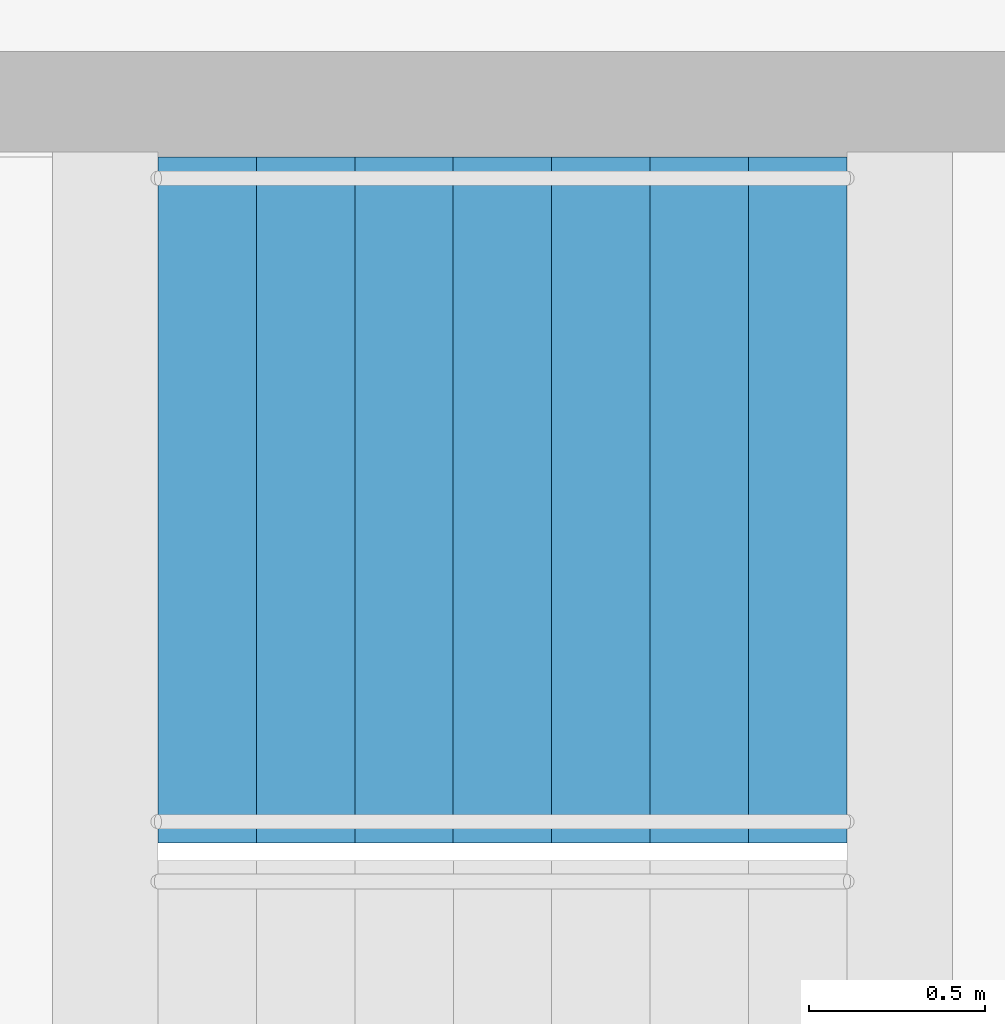
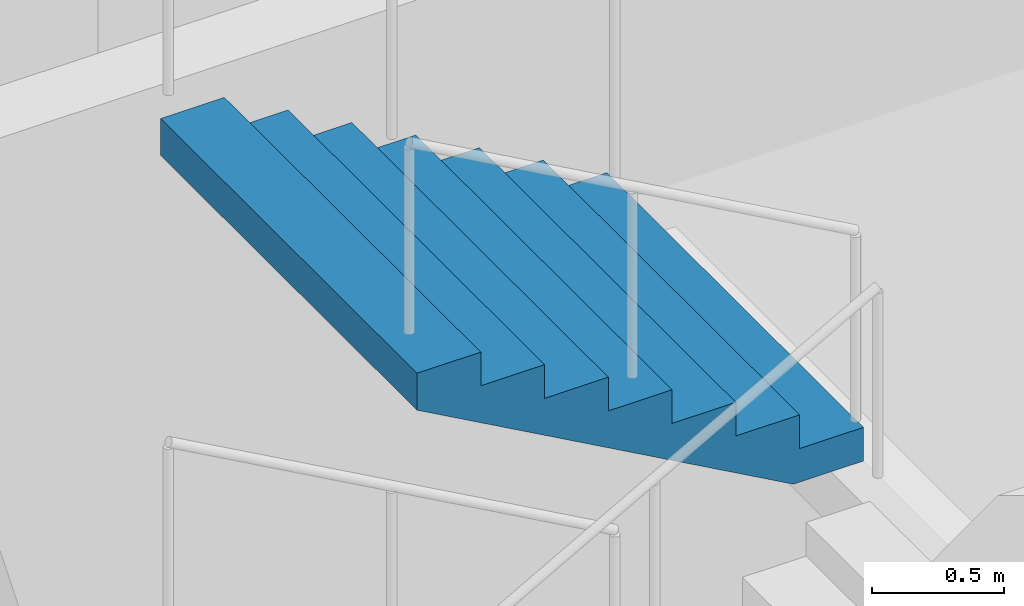
# One storey, part 23 of 37: 1 stair flight, 1 element without a shape of its own.
"""IFC4 building model written with IfcOpenShell, lengths in metres."""

from ifc_helpers import new_model, si_unit, direction, frame, origin, place, context, subcontext, project, spatial, triangles, material, type_object, element, aggregate, save


model = new_model("IFC4")

# Units and contexts
model_context = context("Model", 3, precision=1e-05, world=origin(), true_north=direction((0.0, 1.0)))
body_context = subcontext(model_context, "Body", "Model", "MODEL_VIEW")
ifc_project = project(units=[si_unit("LENGTHUNIT", "METRE"), si_unit("AREAUNIT", "SQUARE_METRE"), si_unit("VOLUMEUNIT", "CUBIC_METRE"), si_unit("PLANEANGLEUNIT", "RADIAN"), si_unit("MASSUNIT", "GRAM", prefix="KILO")], contexts=[model_context])

# Site, building, storey
site_placement = place(None, origin())
site = spatial("IfcSite", under=ifc_project, at=site_placement, CompositionType="ELEMENT")
building_placement = place(site_placement, origin())
building = spatial("IfcBuilding", under=site, at=building_placement, Name="Orbita Commons", CompositionType="ELEMENT")
storey_placement = place(building_placement, frame((0.0, 0.0, 6.0)))
storey = spatial("IfcBuildingStorey", under=building, at=storey_placement, Name="L01", CompositionType="ELEMENT", Elevation=6.0)

# Stair, stair flight
ifc_material_1 = material(Name="Precast concrete C40/50", Category="concrete")
stair_type = type_object("IfcStairType", Name="Exit stair S1 4 flights 8 risers 156", PredefinedType="HALF_TURN_STAIR", material=ifc_material_1)
stair_placement = place(storey_placement, origin())
stair = element("IfcStair", 1, at=stair_placement, inside=storey, type_object=stair_type, Name="Exit stair S1 L01", PredefinedType="HALF_TURN_STAIR")
ifc_material_2 = material(Name="Precast concrete C40/50", Category="concrete")
stair_flight_type = type_object("IfcStairFlightType", Name="Stair flight 8 risers 156 x 280", PredefinedType="STRAIGHT", material=ifc_material_2)
stair_flight_placement = place(storey_placement, frame((22.409912109375, 29.27490234375, 3.75), z_axis=(0.0, 0.0, 1.0), x_axis=(-1.0, 0.0, 0.0)))
stair_flight = element("IfcStairFlight", 2, at=stair_flight_placement, type_object=stair_flight_type, Name="S1 flight 4", NumberOfRisers=8, NumberOfTreads=7, PredefinedType="STRAIGHT", RiserHeight=0.15625, TreadLength=0.28, context=body_context, shape_type="Tessellation", body=[
    triangles([(0.0, 0.974976, 0.0), (0.0, 0.974976, 0.019531), (0.0, 0.81248, 0.019531), (0.0, 0.81248, 0.0), (0.0, 0.649984, 0.019531), (0.0, 0.649984, 0.0), (0.0, 0.487488, 0.019531), (0.0, 0.487488, 0.0), (0.0, 0.324992, 0.019531), (0.0, 0.324992, 0.0), (0.0, 0.162496, 0.019531), (0.0, 0.162496, 0.0), (0.0, 0.0, 0.019531), (0.0, 0.0, 0.0), (0.0, -0.162496, 0.019531), (0.0, -0.162496, 0.0), (0.0, -0.324992, 0.019531), (0.0, -0.324992, 0.0), (0.0, -0.487488, 0.019531), (0.0, -0.487488, 0.0), (0.0, -0.649984, 0.019531), (0.0, -0.649984, 0.0), (0.0, -0.81248, 0.019531), (0.0, -0.81248, 0.0), (0.0, -0.974976, 0.019531), (0.0, -0.974976, 0.0), (0.0, 0.974976, 0.039062), (0.0, 0.81248, 0.039062), (0.0, 0.649984, 0.039062), (0.0, 0.487488, 0.039062), (0.0, 0.324992, 0.039062), (0.0, 0.162496, 0.039062), (0.0, 0.0, 0.039062), (0.0, -0.162496, 0.039062), (0.0, -0.324992, 0.039062), (0.0, -0.487488, 0.039062), (0.0, -0.649984, 0.039062), (0.0, -0.81248, 0.039062), (0.0, -0.974976, 0.039062), (0.0, 0.974976, 0.058594), (0.0, 0.81248, 0.058594), (0.0, 0.649984, 0.058594), (0.0, 0.487488, 0.058594), (0.0, 0.324992, 0.058594), (0.0, 0.162496, 0.058594), (0.0, 0.0, 0.058594), (0.0, -0.162496, 0.058594), (0.0, -0.324992, 0.058594), (0.0, -0.487488, 0.058594), (0.0, -0.649984, 0.058594), (0.0, -0.81248, 0.058594), (0.0, -0.974976, 0.058594), (0.0, 0.974976, 0.078125), (0.0, 0.81248, 0.078125), (0.0, 0.649984, 0.078125), (0.0, 0.487488, 0.078125), (0.0, 0.324992, 0.078125), (0.0, 0.162496, 0.078125), (0.0, 0.0, 0.078125), (0.0, -0.162496, 0.078125), (0.0, -0.324992, 0.078125), (0.0, -0.487488, 0.078125), (0.0, -0.649984, 0.078125), (0.0, -0.81248, 0.078125), (0.0, -0.974976, 0.078125), (0.0, 0.974976, 0.097656), (0.0, 0.81248, 0.097656), (0.0, 0.649984, 0.097656), (0.0, 0.487488, 0.097656), (0.0, 0.324992, 0.097656), (0.0, 0.162496, 0.097656), (0.0, 0.0, 0.097656), (0.0, -0.162496, 0.097656), (0.0, -0.324992, 0.097656), (0.0, -0.487488, 0.097656), (0.0, -0.649984, 0.097656), (0.0, -0.81248, 0.097656), (0.0, -0.974976, 0.097656), (0.0, 0.974976, 0.117188), (0.0, 0.81248, 0.117188), (0.0, 0.649984, 0.117188), (0.0, 0.487488, 0.117188), (0.0, 0.324992, 0.117188), (0.0, 0.162496, 0.117188), (0.0, 0.0, 0.117188), (0.0, -0.162496, 0.117188), (0.0, -0.324992, 0.117188), (0.0, -0.487488, 0.117188), (0.0, -0.649984, 0.117188), (0.0, -0.81248, 0.117188), (0.0, -0.974976, 0.117188), (0.0, 0.974976, 0.136719), (0.0, 0.81248, 0.136719), (0.0, 0.649984, 0.136719), (0.0, 0.487488, 0.136719), (0.0, 0.324992, 0.136719), (0.0, 0.162496, 0.136719), (0.0, 0.0, 0.136719), (0.0, -0.162496, 0.136719), (0.0, -0.324992, 0.136719), (0.0, -0.487488, 0.136719), (0.0, -0.649984, 0.136719), (0.0, -0.81248, 0.136719), (0.0, -0.974976, 0.136719), (0.0, 0.974976, 0.15625), (0.0, 0.81248, 0.15625), (0.0, 0.649984, 0.15625), (0.0, 0.487488, 0.15625), (0.0, 0.324992, 0.15625), (0.0, 0.162496, 0.15625), (0.0, 0.0, 0.15625), (0.0, -0.162496, 0.15625), (0.0, -0.324992, 0.15625), (0.0, -0.487488, 0.15625), (0.0, -0.649984, 0.15625), (0.0, -0.81248, 0.15625), (0.0, -0.974976, 0.15625), (0.28, 0.974976, 0.15625), (0.28, 0.81248, 0.15625), (0.28, 0.649984, 0.15625), (0.28, 0.487488, 0.15625), (0.28, 0.324992, 0.15625), (0.28, 0.162496, 0.15625), (0.28, 0.0, 0.15625), (0.28, -0.162496, 0.15625), (0.28, -0.324992, 0.15625), (0.28, -0.487488, 0.15625), (0.28, -0.649984, 0.15625), (0.28, -0.81248, 0.15625), (0.28, -0.974976, 0.15625), (0.28, 0.974976, 0.3125), (0.28, 0.81248, 0.3125), (0.28, 0.649984, 0.3125), (0.28, 0.487488, 0.3125), (0.28, 0.324992, 0.3125), (0.28, 0.162496, 0.3125), (0.28, 0.0, 0.3125), (0.28, -0.162496, 0.3125), (0.28, -0.324992, 0.3125), (0.28, -0.487488, 0.3125), (0.28, -0.649984, 0.3125), (0.28, -0.81248, 0.3125), (0.28, -0.974976, 0.3125), (0.56, 0.974976, 0.3125), (0.56, 0.81248, 0.3125), (0.56, 0.649984, 0.3125), (0.56, 0.487488, 0.3125), (0.56, 0.324992, 0.3125), (0.56, 0.162496, 0.3125), (0.56, 0.0, 0.3125), (0.56, -0.162496, 0.3125), (0.56, -0.324992, 0.3125), (0.56, -0.487488, 0.3125), (0.56, -0.649984, 0.3125), (0.56, -0.81248, 0.3125), (0.56, -0.974976, 0.3125), (0.56, 0.974976, 0.46875), (0.56, 0.81248, 0.46875), (0.56, 0.649984, 0.46875), (0.56, 0.487488, 0.46875), (0.56, 0.324992, 0.46875), (0.56, 0.162496, 0.46875), (0.56, 0.0, 0.46875), (0.56, -0.162496, 0.46875), (0.56, -0.324992, 0.46875), (0.56, -0.487488, 0.46875), (0.56, -0.649984, 0.46875), (0.56, -0.81248, 0.46875), (0.56, -0.974976, 0.46875), (0.84, 0.974976, 0.46875), (0.84, 0.81248, 0.46875), (0.84, 0.649984, 0.46875), (0.84, 0.487488, 0.46875), (0.84, 0.324992, 0.46875), (0.84, 0.162496, 0.46875), (0.84, 0.0, 0.46875), (0.84, -0.162496, 0.46875), (0.84, -0.324992, 0.46875), (0.84, -0.487488, 0.46875), (0.84, -0.649984, 0.46875), (0.84, -0.81248, 0.46875), (0.84, -0.974976, 0.46875), (0.84, 0.974976, 0.625), (0.84, 0.81248, 0.625), (0.84, 0.649984, 0.625), (0.84, 0.487488, 0.625), (0.84, 0.324992, 0.625), (0.84, 0.162496, 0.625), (0.84, 0.0, 0.625), (0.84, -0.162496, 0.625), (0.84, -0.324992, 0.625), (0.84, -0.487488, 0.625), (0.84, -0.649984, 0.625), (0.84, -0.81248, 0.625), (0.84, -0.974976, 0.625), (1.12, 0.974976, 0.625), (1.12, 0.81248, 0.625), (1.12, 0.649984, 0.625), (1.12, 0.487488, 0.625), (1.12, 0.324992, 0.625), (1.12, 0.162496, 0.625), (1.12, 0.0, 0.625), (1.12, -0.162496, 0.625), (1.12, -0.324992, 0.625), (1.12, -0.487488, 0.625), (1.12, -0.649984, 0.625), (1.12, -0.81248, 0.625), (1.12, -0.974976, 0.625), (1.12, 0.974976, 0.78125), (1.12, 0.81248, 0.78125), (1.12, 0.649984, 0.78125), (1.12, 0.487488, 0.78125), (1.12, 0.324992, 0.78125), (1.12, 0.162496, 0.78125), (1.12, 0.0, 0.78125), (1.12, -0.162496, 0.78125), (1.12, -0.324992, 0.78125), (1.12, -0.487488, 0.78125), (1.12, -0.649984, 0.78125), (1.12, -0.81248, 0.78125), (1.12, -0.974976, 0.78125), (1.4, 0.974976, 0.78125), (1.4, 0.81248, 0.78125), (1.4, 0.649984, 0.78125), (1.4, 0.487488, 0.78125), (1.4, 0.324992, 0.78125), (1.4, 0.162496, 0.78125), (1.4, 0.0, 0.78125), (1.4, -0.162496, 0.78125), (1.4, -0.324992, 0.78125), (1.4, -0.487488, 0.78125), (1.4, -0.649984, 0.78125), (1.4, -0.81248, 0.78125), (1.4, -0.974976, 0.78125), (1.4, 0.974976, 0.9375), (1.4, 0.81248, 0.9375), (1.4, 0.649984, 0.9375), (1.4, 0.487488, 0.9375), (1.4, 0.324992, 0.9375), (1.4, 0.162496, 0.9375), (1.4, 0.0, 0.9375), (1.4, -0.162496, 0.9375), (1.4, -0.324992, 0.9375), (1.4, -0.487488, 0.9375), (1.4, -0.649984, 0.9375), (1.4, -0.81248, 0.9375), (1.4, -0.974976, 0.9375), (1.68, 0.974976, 0.9375), (1.68, 0.81248, 0.9375), (1.68, 0.649984, 0.9375), (1.68, 0.487488, 0.9375), (1.68, 0.324992, 0.9375), (1.68, 0.162496, 0.9375), (1.68, 0.0, 0.9375), (1.68, -0.162496, 0.9375), (1.68, -0.324992, 0.9375), (1.68, -0.487488, 0.9375), (1.68, -0.649984, 0.9375), (1.68, -0.81248, 0.9375), (1.68, -0.974976, 0.9375), (1.68, 0.974976, 1.09375), (1.68, 0.81248, 1.09375), (1.68, 0.649984, 1.09375), (1.68, 0.487488, 1.09375), (1.68, 0.324992, 1.09375), (1.68, 0.162496, 1.09375), (1.68, 0.0, 1.09375), (1.68, -0.162496, 1.09375), (1.68, -0.324992, 1.09375), (1.68, -0.487488, 1.09375), (1.68, -0.649984, 1.09375), (1.68, -0.81248, 1.09375), (1.68, -0.974976, 1.09375), (1.96, 0.974976, 1.09375), (1.96, 0.81248, 1.09375), (1.96, 0.649984, 1.09375), (1.96, 0.487488, 1.09375), (1.96, 0.324992, 1.09375), (1.96, 0.162496, 1.09375), (1.96, 0.0, 1.09375), (1.96, -0.162496, 1.09375), (1.96, -0.324992, 1.09375), (1.96, -0.487488, 1.09375), (1.96, -0.649984, 1.09375), (1.96, -0.81248, 1.09375), (1.96, -0.974976, 1.09375), (1.96, 0.974976, 1.072292), (1.96, 0.81248, 1.072292), (1.96, 0.649984, 1.072292), (1.96, 0.487488, 1.072292), (1.96, 0.324992, 1.072292), (1.96, 0.162496, 1.072292), (1.96, 0.0, 1.072292), (1.96, -0.162496, 1.072292), (1.96, -0.324992, 1.072292), (1.96, -0.487488, 1.072292), (1.96, -0.649984, 1.072292), (1.96, -0.81248, 1.072292), (1.96, -0.974976, 1.072292), (1.96, 0.974976, 1.050834), (1.96, 0.81248, 1.050834), (1.96, 0.649984, 1.050834), (1.96, 0.487488, 1.050834), (1.96, 0.324992, 1.050834), (1.96, 0.162496, 1.050834), (1.96, 0.0, 1.050834), (1.96, -0.162496, 1.050834), (1.96, -0.324992, 1.050834), (1.96, -0.487488, 1.050834), (1.96, -0.649984, 1.050834), (1.96, -0.81248, 1.050834), (1.96, -0.974976, 1.050834), (1.96, 0.974976, 1.029376), (1.96, 0.81248, 1.029376), (1.96, 0.649984, 1.029376), (1.96, 0.487488, 1.029376), (1.96, 0.324992, 1.029376), (1.96, 0.162496, 1.029376), (1.96, 0.0, 1.029376), (1.96, -0.162496, 1.029376), (1.96, -0.324992, 1.029376), (1.96, -0.487488, 1.029376), (1.96, -0.649984, 1.029376), (1.96, -0.81248, 1.029376), (1.96, -0.974976, 1.029376), (1.96, 0.974976, 1.007919), (1.96, 0.81248, 1.007919), (1.96, 0.649984, 1.007919), (1.96, 0.487488, 1.007919), (1.96, 0.324992, 1.007919), (1.96, 0.162496, 1.007919), (1.96, 0.0, 1.007919), (1.96, -0.162496, 1.007919), (1.96, -0.324992, 1.007919), (1.96, -0.487488, 1.007919), (1.96, -0.649984, 1.007919), (1.96, -0.81248, 1.007919), (1.96, -0.974976, 1.007919), (1.96, 0.974976, 0.986461), (1.96, 0.81248, 0.986461), (1.96, 0.649984, 0.986461), (1.96, 0.487488, 0.986461), (1.96, 0.324992, 0.986461), (1.96, 0.162496, 0.986461), (1.96, 0.0, 0.986461), (1.96, -0.162496, 0.986461), (1.96, -0.324992, 0.986461), (1.96, -0.487488, 0.986461), (1.96, -0.649984, 0.986461), (1.96, -0.81248, 0.986461), (1.96, -0.974976, 0.986461), (1.96, 0.974976, 0.965003), (1.96, 0.81248, 0.965003), (1.96, 0.649984, 0.965003), (1.96, 0.487488, 0.965003), (1.96, 0.324992, 0.965003), (1.96, 0.162496, 0.965003), (1.96, 0.0, 0.965003), (1.96, -0.162496, 0.965003), (1.96, -0.324992, 0.965003), (1.96, -0.487488, 0.965003), (1.96, -0.649984, 0.965003), (1.96, -0.81248, 0.965003), (1.96, -0.974976, 0.965003), (1.96, 0.974976, 0.943545), (1.96, 0.81248, 0.943545), (1.96, 0.649984, 0.943545), (1.96, 0.487488, 0.943545), (1.96, 0.324992, 0.943545), (1.96, 0.162496, 0.943545), (1.96, 0.0, 0.943545), (1.96, -0.162496, 0.943545), (1.96, -0.324992, 0.943545), (1.96, -0.487488, 0.943545), (1.96, -0.649984, 0.943545), (1.96, -0.81248, 0.943545), (1.96, -0.974976, 0.943545), (1.96, 0.974976, 0.922087), (1.96, 0.81248, 0.922087), (1.96, 0.649984, 0.922087), (1.96, 0.487488, 0.922087), (1.96, 0.324992, 0.922087), (1.96, 0.162496, 0.922087), (1.96, 0.0, 0.922087), (1.96, -0.162496, 0.922087), (1.96, -0.324992, 0.922087), (1.96, -0.487488, 0.922087), (1.96, -0.649984, 0.922087), (1.96, -0.81248, 0.922087), (1.96, -0.974976, 0.922087), (0.30762, 0.974976, 0.0), (0.30762, 0.81248, 0.0), (0.30762, 0.649984, 0.0), (0.30762, 0.487488, 0.0), (0.30762, 0.324992, 0.0), (0.30762, 0.162496, 0.0), (0.30762, 0.0, 0.0), (0.30762, -0.162496, 0.0), (0.30762, -0.324992, 0.0), (0.30762, -0.487488, 0.0), (0.30762, -0.649984, 0.0), (0.30762, -0.81248, 0.0), (0.30762, -0.974976, 0.0)], [[3, 2, 1], [4, 3, 1], [5, 3, 4], [6, 5, 4], [7, 5, 6], [8, 7, 6], [9, 7, 8], [10, 9, 8], [11, 9, 10], [12, 11, 10], [13, 11, 12], [14, 13, 12], [15, 13, 14], [16, 15, 14], [17, 15, 16], [18, 17, 16], [19, 17, 18], [20, 19, 18], [21, 19, 20], [22, 21, 20], [23, 21, 22], [24, 23, 22], [25, 23, 24], [26, 25, 24], [28, 27, 2], [3, 28, 2], [29, 28, 3], [5, 29, 3], [30, 29, 5], [7, 30, 5], [31, 30, 7], [9, 31, 7], [32, 31, 9], [11, 32, 9], [33, 32, 11], [13, 33, 11], [34, 33, 13], [15, 34, 13], [35, 34, 15], [17, 35, 15], [36, 35, 17], [19, 36, 17], [37, 36, 19], [21, 37, 19], [38, 37, 21], [23, 38, 21], [39, 38, 23], [25, 39, 23], [41, 40, 27], [28, 41, 27], [42, 41, 28], [29, 42, 28], [43, 42, 29], [30, 43, 29], [44, 43, 30], [31, 44, 30], [45, 44, 31], [32, 45, 31], [46, 45, 32], [33, 46, 32], [47, 46, 33], [34, 47, 33], [48, 47, 34], [35, 48, 34], [49, 48, 35], [36, 49, 35], [50, 49, 36], [37, 50, 36], [51, 50, 37], [38, 51, 37], [52, 51, 38], [39, 52, 38], [54, 53, 40], [41, 54, 40], [55, 54, 41], [42, 55, 41], [56, 55, 42], [43, 56, 42], [57, 56, 43], [44, 57, 43], [58, 57, 44], [45, 58, 44], [59, 58, 45], [46, 59, 45], [60, 59, 46], [47, 60, 46], [61, 60, 47], [48, 61, 47], [62, 61, 48], [49, 62, 48], [63, 62, 49], [50, 63, 49], [64, 63, 50], [51, 64, 50], [65, 64, 51], [52, 65, 51], [67, 66, 53], [54, 67, 53], [68, 67, 54], [55, 68, 54], [69, 68, 55], [56, 69, 55], [70, 69, 56], [57, 70, 56], [71, 70, 57], [58, 71, 57], [72, 71, 58], [59, 72, 58], [73, 72, 59], [60, 73, 59], [74, 73, 60], [61, 74, 60], [75, 74, 61], [62, 75, 61], [76, 75, 62], [63, 76, 62], [77, 76, 63], [64, 77, 63], [78, 77, 64], [65, 78, 64], [80, 79, 66], [67, 80, 66], [81, 80, 67], [68, 81, 67], [82, 81, 68], [69, 82, 68], [83, 82, 69], [70, 83, 69], [84, 83, 70], [71, 84, 70], [85, 84, 71], [72, 85, 71], [86, 85, 72], [73, 86, 72], [87, 86, 73], [74, 87, 73], [88, 87, 74], [75, 88, 74], [89, 88, 75], [76, 89, 75], [90, 89, 76], [77, 90, 76], [91, 90, 77], [78, 91, 77], [93, 92, 79], [80, 93, 79], [94, 93, 80], [81, 94, 80], [95, 94, 81], [82, 95, 81], [96, 95, 82], [83, 96, 82], [97, 96, 83], [84, 97, 83], [98, 97, 84], [85, 98, 84], [99, 98, 85], [86, 99, 85], [100, 99, 86], [87, 100, 86], [101, 100, 87], [88, 101, 87], [102, 101, 88], [89, 102, 88], [103, 102, 89], [90, 103, 89], [104, 103, 90], [91, 104, 90], [106, 105, 92], [93, 106, 92], [107, 106, 93], [94, 107, 93], [108, 107, 94], [95, 108, 94], [109, 108, 95], [96, 109, 95], [110, 109, 96], [97, 110, 96], [111, 110, 97], [98, 111, 97], [112, 111, 98], [99, 112, 98], [113, 112, 99], [100, 113, 99], [114, 113, 100], [101, 114, 100], [115, 114, 101], [102, 115, 101], [116, 115, 102], [103, 116, 102], [117, 116, 103], [104, 117, 103], [119, 118, 105], [106, 119, 105], [120, 119, 106], [107, 120, 106], [121, 120, 107], [108, 121, 107], [122, 121, 108], [109, 122, 108], [123, 122, 109], [110, 123, 109], [124, 123, 110], [111, 124, 110], [125, 124, 111], [112, 125, 111], [126, 125, 112], [113, 126, 112], [127, 126, 113], [114, 127, 113], [128, 127, 114], [115, 128, 114], [129, 128, 115], [116, 129, 115], [130, 129, 116], [117, 130, 116], [132, 131, 118], [119, 132, 118], [133, 132, 119], [120, 133, 119], [134, 133, 120], [121, 134, 120], [135, 134, 121], [122, 135, 121], [136, 135, 122], [123, 136, 122], [137, 136, 123], [124, 137, 123], [138, 137, 124], [125, 138, 124], [139, 138, 125], [126, 139, 125], [140, 139, 126], [127, 140, 126], [141, 140, 127], [128, 141, 127], [142, 141, 128], [129, 142, 128], [143, 142, 129], [130, 143, 129], [145, 144, 131], [132, 145, 131], [146, 145, 132], [133, 146, 132], [147, 146, 133], [134, 147, 133], [148, 147, 134], [135, 148, 134], [149, 148, 135], [136, 149, 135], [150, 149, 136], [137, 150, 136], [151, 150, 137], [138, 151, 137], [152, 151, 138], [139, 152, 138], [153, 152, 139], [140, 153, 139], [154, 153, 140], [141, 154, 140], [155, 154, 141], [142, 155, 141], [156, 155, 142], [143, 156, 142], [158, 157, 144], [145, 158, 144], [159, 158, 145], [146, 159, 145], [160, 159, 146], [147, 160, 146], [161, 160, 147], [148, 161, 147], [162, 161, 148], [149, 162, 148], [163, 162, 149], [150, 163, 149], [164, 163, 150], [151, 164, 150], [165, 164, 151], [152, 165, 151], [166, 165, 152], [153, 166, 152], [167, 166, 153], [154, 167, 153], [168, 167, 154], [155, 168, 154], [169, 168, 155], [156, 169, 155], [171, 170, 157], [158, 171, 157], [172, 171, 158], [159, 172, 158], [173, 172, 159], [160, 173, 159], [174, 173, 160], [161, 174, 160], [175, 174, 161], [162, 175, 161], [176, 175, 162], [163, 176, 162], [177, 176, 163], [164, 177, 163], [178, 177, 164], [165, 178, 164], [179, 178, 165], [166, 179, 165], [180, 179, 166], [167, 180, 166], [181, 180, 167], [168, 181, 167], [182, 181, 168], [169, 182, 168], [184, 183, 170], [171, 184, 170], [185, 184, 171], [172, 185, 171], [186, 185, 172], [173, 186, 172], [187, 186, 173], [174, 187, 173], [188, 187, 174], [175, 188, 174], [189, 188, 175], [176, 189, 175], [190, 189, 176], [177, 190, 176], [191, 190, 177], [178, 191, 177], [192, 191, 178], [179, 192, 178], [193, 192, 179], [180, 193, 179], [194, 193, 180], [181, 194, 180], [195, 194, 181], [182, 195, 181], [197, 196, 183], [184, 197, 183], [198, 197, 184], [185, 198, 184], [199, 198, 185], [186, 199, 185], [200, 199, 186], [187, 200, 186], [201, 200, 187], [188, 201, 187], [202, 201, 188], [189, 202, 188], [203, 202, 189], [190, 203, 189], [204, 203, 190], [191, 204, 190], [205, 204, 191], [192, 205, 191], [206, 205, 192], [193, 206, 192], [207, 206, 193], [194, 207, 193], [208, 207, 194], [195, 208, 194], [210, 209, 196], [197, 210, 196], [211, 210, 197], [198, 211, 197], [212, 211, 198], [199, 212, 198], [213, 212, 199], [200, 213, 199], [214, 213, 200], [201, 214, 200], [215, 214, 201], [202, 215, 201], [216, 215, 202], [203, 216, 202], [217, 216, 203], [204, 217, 203], [218, 217, 204], [205, 218, 204], [219, 218, 205], [206, 219, 205], [220, 219, 206], [207, 220, 206], [221, 220, 207], [208, 221, 207], [223, 222, 209], [210, 223, 209], [224, 223, 210], [211, 224, 210], [225, 224, 211], [212, 225, 211], [226, 225, 212], [213, 226, 212], [227, 226, 213], [214, 227, 213], [228, 227, 214], [215, 228, 214], [229, 228, 215], [216, 229, 215], [230, 229, 216], [217, 230, 216], [231, 230, 217], [218, 231, 217], [232, 231, 218], [219, 232, 218], [233, 232, 219], [220, 233, 219], [234, 233, 220], [221, 234, 220], [236, 235, 222], [223, 236, 222], [237, 236, 223], [224, 237, 223], [238, 237, 224], [225, 238, 224], [239, 238, 225], [226, 239, 225], [240, 239, 226], [227, 240, 226], [241, 240, 227], [228, 241, 227], [242, 241, 228], [229, 242, 228], [243, 242, 229], [230, 243, 229], [244, 243, 230], [231, 244, 230], [245, 244, 231], [232, 245, 231], [246, 245, 232], [233, 246, 232], [247, 246, 233], [234, 247, 233], [249, 248, 235], [236, 249, 235], [250, 249, 236], [237, 250, 236], [251, 250, 237], [238, 251, 237], [252, 251, 238], [239, 252, 238], [253, 252, 239], [240, 253, 239], [254, 253, 240], [241, 254, 240], [255, 254, 241], [242, 255, 241], [256, 255, 242], [243, 256, 242], [257, 256, 243], [244, 257, 243], [258, 257, 244], [245, 258, 244], [259, 258, 245], [246, 259, 245], [260, 259, 246], [247, 260, 246], [262, 261, 248], [249, 262, 248], [263, 262, 249], [250, 263, 249], [264, 263, 250], [251, 264, 250], [265, 264, 251], [252, 265, 251], [266, 265, 252], [253, 266, 252], [267, 266, 253], [254, 267, 253], [268, 267, 254], [255, 268, 254], [269, 268, 255], [256, 269, 255], [270, 269, 256], [257, 270, 256], [271, 270, 257], [258, 271, 257], [272, 271, 258], [259, 272, 258], [273, 272, 259], [260, 273, 259], [275, 274, 261], [262, 275, 261], [276, 275, 262], [263, 276, 262], [277, 276, 263], [264, 277, 263], [278, 277, 264], [265, 278, 264], [279, 278, 265], [266, 279, 265], [280, 279, 266], [267, 280, 266], [281, 280, 267], [268, 281, 267], [282, 281, 268], [269, 282, 268], [283, 282, 269], [270, 283, 269], [284, 283, 270], [271, 284, 270], [285, 284, 271], [272, 285, 271], [286, 285, 272], [273, 286, 272], [288, 287, 274], [275, 288, 274], [289, 288, 275], [276, 289, 275], [290, 289, 276], [277, 290, 276], [291, 290, 277], [278, 291, 277], [292, 291, 278], [279, 292, 278], [293, 292, 279], [280, 293, 279], [294, 293, 280], [281, 294, 280], [295, 294, 281], [282, 295, 281], [296, 295, 282], [283, 296, 282], [297, 296, 283], [284, 297, 283], [298, 297, 284], [285, 298, 284], [299, 298, 285], [286, 299, 285], [301, 300, 287], [288, 301, 287], [302, 301, 288], [289, 302, 288], [303, 302, 289], [290, 303, 289], [304, 303, 290], [291, 304, 290], [305, 304, 291], [292, 305, 291], [306, 305, 292], [293, 306, 292], [307, 306, 293], [294, 307, 293], [308, 307, 294], [295, 308, 294], [309, 308, 295], [296, 309, 295], [310, 309, 296], [297, 310, 296], [311, 310, 297], [298, 311, 297], [312, 311, 298], [299, 312, 298], [314, 313, 300], [301, 314, 300], [315, 314, 301], [302, 315, 301], [316, 315, 302], [303, 316, 302], [317, 316, 303], [304, 317, 303], [318, 317, 304], [305, 318, 304], [319, 318, 305], [306, 319, 305], [320, 319, 306], [307, 320, 306], [321, 320, 307], [308, 321, 307], [322, 321, 308], [309, 322, 308], [323, 322, 309], [310, 323, 309], [324, 323, 310], [311, 324, 310], [325, 324, 311], [312, 325, 311], [327, 326, 313], [314, 327, 313], [328, 327, 314], [315, 328, 314], [329, 328, 315], [316, 329, 315], [330, 329, 316], [317, 330, 316], [331, 330, 317], [318, 331, 317], [332, 331, 318], [319, 332, 318], [333, 332, 319], [320, 333, 319], [334, 333, 320], [321, 334, 320], [335, 334, 321], [322, 335, 321], [336, 335, 322], [323, 336, 322], [337, 336, 323], [324, 337, 323], [338, 337, 324], [325, 338, 324], [340, 339, 326], [327, 340, 326], [341, 340, 327], [328, 341, 327], [342, 341, 328], [329, 342, 328], [343, 342, 329], [330, 343, 329], [344, 343, 330], [331, 344, 330], [345, 344, 331], [332, 345, 331], [346, 345, 332], [333, 346, 332], [347, 346, 333], [334, 347, 333], [348, 347, 334], [335, 348, 334], [349, 348, 335], [336, 349, 335], [350, 349, 336], [337, 350, 336], [351, 350, 337], [338, 351, 337], [353, 352, 339], [340, 353, 339], [354, 353, 340], [341, 354, 340], [355, 354, 341], [342, 355, 341], [356, 355, 342], [343, 356, 342], [357, 356, 343], [344, 357, 343], [358, 357, 344], [345, 358, 344], [359, 358, 345], [346, 359, 345], [360, 359, 346], [347, 360, 346], [361, 360, 347], [348, 361, 347], [362, 361, 348], [349, 362, 348], [363, 362, 349], [350, 363, 349], [364, 363, 350], [351, 364, 350], [366, 365, 352], [353, 366, 352], [367, 366, 353], [354, 367, 353], [368, 367, 354], [355, 368, 354], [369, 368, 355], [356, 369, 355], [370, 369, 356], [357, 370, 356], [371, 370, 357], [358, 371, 357], [372, 371, 358], [359, 372, 358], [373, 372, 359], [360, 373, 359], [374, 373, 360], [361, 374, 360], [375, 374, 361], [362, 375, 361], [376, 375, 362], [363, 376, 362], [377, 376, 363], [364, 377, 363], [379, 378, 365], [366, 379, 365], [380, 379, 366], [367, 380, 366], [381, 380, 367], [368, 381, 367], [382, 381, 368], [369, 382, 368], [383, 382, 369], [370, 383, 369], [384, 383, 370], [371, 384, 370], [385, 384, 371], [372, 385, 371], [386, 385, 372], [373, 386, 372], [387, 386, 373], [374, 387, 373], [388, 387, 374], [375, 388, 374], [389, 388, 375], [376, 389, 375], [390, 389, 376], [377, 390, 376], [392, 391, 378], [379, 392, 378], [393, 392, 379], [380, 393, 379], [394, 393, 380], [381, 394, 380], [395, 394, 381], [382, 395, 381], [396, 395, 382], [383, 396, 382], [397, 396, 383], [384, 397, 383], [398, 397, 384], [385, 398, 384], [399, 398, 385], [386, 399, 385], [400, 399, 386], [387, 400, 386], [401, 400, 387], [388, 401, 387], [402, 401, 388], [389, 402, 388], [403, 402, 389], [390, 403, 389], [4, 1, 391], [392, 4, 391], [6, 4, 392], [393, 6, 392], [8, 6, 393], [394, 8, 393], [10, 8, 394], [395, 10, 394], [12, 10, 395], [396, 12, 395], [14, 12, 396], [397, 14, 396], [16, 14, 397], [398, 16, 397], [18, 16, 398], [399, 18, 398], [20, 18, 399], [400, 20, 399], [22, 20, 400], [401, 22, 400], [24, 22, 401], [402, 24, 401], [26, 24, 402], [403, 26, 402], [378, 391, 1], [26, 403, 390], [365, 378, 1], [26, 390, 377], [352, 365, 1], [26, 377, 364], [339, 352, 1], [26, 364, 351], [326, 339, 1], [26, 351, 338], [313, 326, 1], [26, 338, 325], [300, 313, 1], [26, 325, 312], [287, 300, 1], [26, 312, 299], [261, 274, 287], [299, 286, 273], [248, 261, 287], [299, 273, 260], [222, 235, 248], [260, 247, 234], [222, 248, 287], [299, 260, 234], [196, 209, 222], [234, 221, 208], [196, 222, 287], [299, 234, 208], [170, 183, 196], [208, 195, 182], [170, 196, 287], [299, 208, 182], [144, 157, 170], [182, 169, 156], [144, 170, 287], [299, 182, 156], [118, 131, 144], [156, 143, 130], [118, 144, 287], [299, 156, 130], [118, 287, 1], [26, 299, 130], [92, 105, 118], [130, 117, 104], [79, 92, 118], [130, 104, 91], [66, 79, 118], [130, 91, 78], [53, 66, 118], [130, 78, 65], [40, 53, 118], [130, 65, 52], [27, 40, 118], [130, 52, 39], [2, 27, 118], [130, 39, 25], [1, 2, 118], [130, 25, 26]], closed=True),
])
aggregate(stair, [stair_flight])

save(model, "model.ifc")
